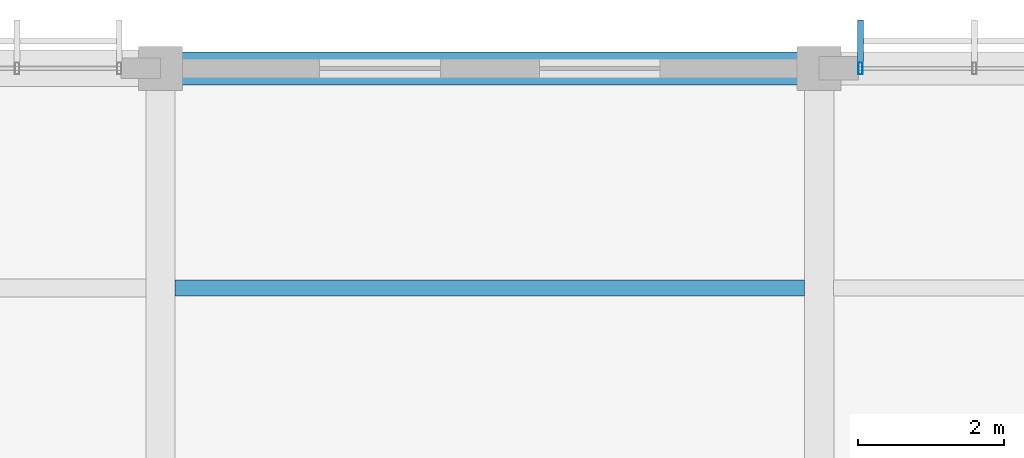
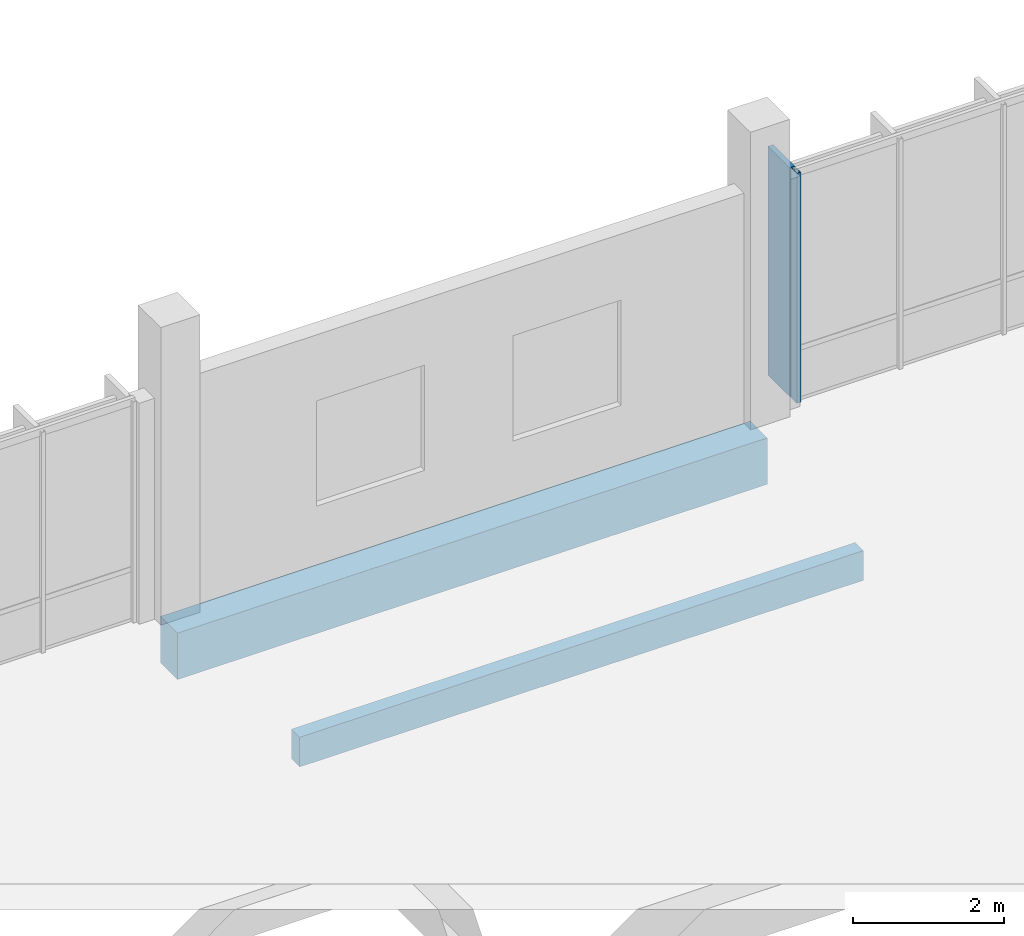
# One storey, part 122 of 177: 2 beams, 2 members, 1 element without a shape of its own.
"""IFC4 building model written with IfcOpenShell, lengths in metres."""

import ifcopenshell
import ifcopenshell.guid

model = None  # the IFC model being written
_history = None  # IfcOwnerHistory: only IFC2X3 demands one
_inside = {}  # id of a spatial element -> (the spatial element, [elements in it])
_under = {}  # id of a project, library or spatial element -> (it, [spatial elements below it])
_declared = {}  # id of a project -> (the project, [libraries it declares])
_typed = {}  # id of a type object -> (the type object, [elements of that type])
_made_of = {}  # id of a material, layer set ... -> (it, [elements and type objects made of it])


def new_model(schema):
    """Start an empty IFC model of exactly this schema.

    Asked for "IFC4X3", IfcOpenShell would pick the latest addendum, in which some entities
    have other attributes; the version numbers below select the first issue.
    IFC2X3 requires an IfcOwnerHistory on every rooted entity: one is made here for all.
    """
    global model, _history
    if schema == "IFC4X3":
        model = ifcopenshell.file(schema_version=(4, 3, 0, 0))
    else:
        model = ifcopenshell.file(schema=schema)
    _inside.clear()
    _under.clear()
    _declared.clear()
    _typed.clear()
    _made_of.clear()
    _history = None
    if model.schema == "IFC2X3":
        org = make("IfcOrganization", Name="unknown")
        user = make(
            "IfcPersonAndOrganization",
            ThePerson=make("IfcPerson", FamilyName="unknown"),
            TheOrganization=org,
        )
        app = make(
            "IfcApplication",
            ApplicationDeveloper=org,
            Version="unknown",
            ApplicationFullName="unknown",
            ApplicationIdentifier="unknown",
        )
        _history = make(
            "IfcOwnerHistory",
            OwningUser=user,
            OwningApplication=app,
            ChangeAction="ADDED",
            CreationDate=0,
        )
    return model


def make(cls, **values):
    """One entity of the class cls with the attributes given. An attribute that is None is left unset."""
    return model.create_entity(
        cls, **{name: value for name, value in values.items() if value is not None}
    )


def rooted(cls, **values):
    """An entity with a GlobalId (a new one), such as an element, a storey or a relation."""
    return make(cls, GlobalId=ifcopenshell.guid.new(), OwnerHistory=_history, **values)


def si_unit(unit_type, name, prefix=None):
    """IfcSIUnit, for example si_unit("LENGTHUNIT", "METRE", prefix="MILLI")."""
    return make("IfcSIUnit", UnitType=unit_type, Prefix=prefix, Name=name)


def assignment(units):
    """IfcUnitAssignment: the units of a project."""
    return None if units is None else make("IfcUnitAssignment", Units=units)


def point(xyz):
    """IfcCartesianPoint."""
    return None if xyz is None else make("IfcCartesianPoint", Coordinates=xyz)


def direction(xyz):
    """IfcDirection."""
    return None if xyz is None else make("IfcDirection", DirectionRatios=xyz)


def frame(location, z_axis=None, x_axis=None):
    """IfcAxis2Placement3D, a coordinate frame: its origin and axes. An axis left out is left unset."""
    return make(
        "IfcAxis2Placement3D",
        Location=point(location),
        Axis=direction(z_axis),
        RefDirection=direction(x_axis),
    )


def frame_2d(location, x_axis=None):
    """IfcAxis2Placement2D, a coordinate frame in the plane: its origin and x axis."""
    return make(
        "IfcAxis2Placement2D", Location=point(location), RefDirection=direction(x_axis)
    )


def origin():
    """The frame at (0, 0, 0) with its axes left unset."""
    return frame((0.0, 0.0, 0.0))


def origin_2d():
    """The frame at (0, 0) in the plane with its x axis left unset."""
    return frame_2d((0.0, 0.0))


def place(relative_to, where):
    """IfcLocalPlacement: puts the frame where relative to a parent placement (None: the world)."""
    return make(
        "IfcLocalPlacement", PlacementRelTo=relative_to, RelativePlacement=where
    )


def context(
    kind, dimensions, precision=None, world=None, true_north=None, identifier=None
):
    """IfcGeometricRepresentationContext, for example the 3D "Model" context."""
    return make(
        "IfcGeometricRepresentationContext",
        ContextIdentifier=identifier,
        ContextType=kind,
        CoordinateSpaceDimension=dimensions,
        Precision=precision,
        WorldCoordinateSystem=world,
        TrueNorth=true_north,
    )


def subcontext(parent, identifier, kind, view, scale=None):
    """IfcGeometricRepresentationSubContext, for example "Body" below "Model"."""
    return make(
        "IfcGeometricRepresentationSubContext",
        ContextIdentifier=identifier,
        ContextType=kind,
        ParentContext=parent,
        TargetScale=scale,
        TargetView=view,
    )


def project(units=None, contexts=None):
    """IfcProject with its units and contexts."""
    return rooted(
        "IfcProject",
        Name="project",
        RepresentationContexts=contexts,
        UnitsInContext=assignment(units),
    )


def spatial(cls, under=None, at=None, **own):
    """A site, building, storey or space (cls), placed at a placement, below another one or the project."""
    s = rooted(cls, ObjectPlacement=at, **own)
    if under is not None:
        _under.setdefault(under.id(), (under, []))[1].append(s)
    return s


def profile(cls, at=None, kind="AREA", **sizes):
    """A parametric profile (cls). Its sizes go by their IFC names, for example OverallWidth=200.0."""
    return make(cls, ProfileType=kind, Position=at, **sizes)


def rectangle(**sizes):
    """IfcRectangleProfileDef."""
    return profile("IfcRectangleProfileDef", **sizes)


def hollow_rectangle(**sizes):
    """IfcRectangleHollowProfileDef."""
    return profile("IfcRectangleHollowProfileDef", **sizes)


def extrude(swept, where, along, depth):
    """IfcExtrudedAreaSolid: the profile swept, set in the frame where, extruded along a direction by depth."""
    return make(
        "IfcExtrudedAreaSolid",
        SweptArea=swept,
        Position=where,
        ExtrudedDirection=direction(along),
        Depth=depth,
    )


def shape(context_of_items, identifier, shape_type, items):
    """IfcShapeRepresentation: the items that make up one representation, for example the "Body"."""
    return make(
        "IfcShapeRepresentation",
        ContextOfItems=context_of_items,
        RepresentationIdentifier=identifier,
        RepresentationType=shape_type,
        Items=items,
    )


def material(Name=None, Category=None):
    """IfcMaterial."""
    return make("IfcMaterial", Name=Name, Category=Category)


def material_profile(
    of_material, cross_section, Name=None, Category=None, Priority=None
):
    """IfcMaterialProfile: a cross section and its material."""
    return make(
        "IfcMaterialProfile",
        Name=Name,
        Material=of_material,
        Profile=cross_section,
        Priority=Priority,
        Category=Category,
    )


def profile_set(profiles, Name=None, composite=None):
    """IfcMaterialProfileSet."""
    return make(
        "IfcMaterialProfileSet",
        Name=Name,
        MaterialProfiles=profiles,
        CompositeProfile=composite,
    )


def made_of(thing, what):
    """Note that an element or type object is made of a material, layer set ...; save() writes the relation."""
    if what is not None:
        _made_of.setdefault(what.id(), (what, []))[1].append(thing)
    return thing


def type_object(cls, material=None, **own):
    """A type object (cls), such as IfcWallType, which elements share."""
    return made_of(rooted(cls, **own), material)


def element(
    cls,
    number,
    at=None,
    inside=None,
    cuts=None,
    type_object=None,
    material=None,
    context=None,
    identifier="Body",
    shape_type=None,
    held_by="IfcProductDefinitionShape",
    body=None,
    shapes=None,
    **own,
):
    """One element of the class cls, such as IfcWall. Its Tag is "e" and its number.

    at: its placement. inside: the storey or other place that contains it. cuts: it is an
    opening in that element (IfcRelVoidsElement). A single representation is given by context,
    identifier, shape_type and body (its items); several are given by shapes. held_by: the class
    of the entity that holds the representations. save() writes the other relations.
    """
    e = rooted(cls, Tag="e%d" % number, ObjectPlacement=at, **own)
    if body is not None:
        shapes = [shape(context, identifier, shape_type, body)]
    if shapes is not None:
        e.Representation = make(held_by, Representations=shapes)
    if inside is not None:
        _inside.setdefault(inside.id(), (inside, []))[1].append(e)
    if cuts is not None:
        rooted(
            "IfcRelVoidsElement", RelatingBuildingElement=cuts, RelatedOpeningElement=e
        )
    if type_object is not None:
        _typed.setdefault(type_object.id(), (type_object, []))[1].append(e)
    return made_of(e, material)


def aggregate(whole, parts):
    """IfcRelAggregates: a whole, such as a stair, and the parts it consists of."""
    return rooted("IfcRelAggregates", RelatingObject=whole, RelatedObjects=parts)


def save(model, path):
    """Write the relations noted so far, then the file.

    IfcRelAggregates (storeys below a building ...), IfcRelContainedInSpatialStructure (elements
    in a storey), IfcRelDefinesByType, IfcRelAssociatesMaterial and IfcRelDeclares: one each for
    every whole, place, type object, material and project.
    """
    for whole, parts in _under.values():
        aggregate(whole, parts)
    for where, things in _inside.values():
        rooted(
            "IfcRelContainedInSpatialStructure",
            RelatedElements=things,
            RelatingStructure=where,
        )
    for kind, things in _typed.values():
        rooted("IfcRelDefinesByType", RelatedObjects=things, RelatingType=kind)
    for what, things in _made_of.values():
        rooted("IfcRelAssociatesMaterial", RelatedObjects=things, RelatingMaterial=what)
    for by, libraries in _declared.values():
        rooted("IfcRelDeclares", RelatingContext=by, RelatedDefinitions=libraries)
    model.write(path)


model = new_model("IFC4")

# Units and contexts
model_context = context("Model", 3, precision=1e-05, world=origin(), true_north=direction((0.0, 1.0)))
body_context = subcontext(model_context, "Body", "Model", "MODEL_VIEW")
ifc_project = project(units=[si_unit("LENGTHUNIT", "METRE"), si_unit("AREAUNIT", "SQUARE_METRE"), si_unit("VOLUMEUNIT", "CUBIC_METRE"), si_unit("PLANEANGLEUNIT", "RADIAN"), si_unit("MASSUNIT", "GRAM", prefix="KILO")], contexts=[model_context])

# Site, building, storey
site_placement = place(None, origin())
site = spatial("IfcSite", under=ifc_project, at=site_placement, CompositionType="ELEMENT")
building_placement = place(site_placement, origin())
building = spatial("IfcBuilding", under=site, at=building_placement, Name="Chiffa Square Polytechnic", CompositionType="ELEMENT")
storey_placement = place(building_placement, frame((0.0, 0.0, 4.800048828125)))
storey = spatial("IfcBuildingStorey", under=building, at=storey_placement, Name="L01", CompositionType="ELEMENT", Elevation=4.800048828125)

# Beam
ifc_material_1 = material(Name="Concrete C35/45", Category="concrete")
ifc_material_profile_1 = material_profile(ifc_material_1, rectangle(XDim=0.449951171875, YDim=0.75, at=origin_2d()), Name="RC 450x750")
ifc_profile_set_1 = profile_set([ifc_material_profile_1], Name="Concrete C35/45")
beam_type_1 = type_object("IfcBeamType", Name="BM-RC-450X750", PredefinedType="BEAM", material=ifc_profile_set_1)
beam_1_placement = place(storey_placement, frame((57.60009765625, 130.800048828125, -0.655029296875), z_axis=(1.0, 0.0, 0.0), x_axis=(0.0, 1.0, 0.0)))
element("IfcBeam", 1, at=beam_1_placement, inside=storey, type_object=beam_type_1, Name="Primary floor girder BM-V5-L01-X-0576-1308", PredefinedType="BEAM", context=body_context, shape_type="SweptSolid", body=[
    extrude(rectangle(XDim=0.449951171875, YDim=0.75, at=origin_2d()), origin(), (0.0, 0.0, 1.0), 9.0),
])

# Curtain wall, members
ifc_material_2 = material(Name="Aluminium EN AW-6060 T66 and glulam shading", Category="wood")
curtain_wall_type = type_object("IfcCurtainWallType", Name="CW-VERT-540X440", PredefinedType="USERDEFINED", material=ifc_material_2)
curtain_wall_placement = place(storey_placement, origin())
curtain_wall = element("IfcCurtainWall", 2, at=curtain_wall_placement, inside=storey, type_object=curtain_wall_type, Name="Curtain wall CW-V5-L01-207", ObjectType="CURTAIN WALL", PredefinedType="USERDEFINED")
ifc_material_3 = material(Name="Aluminium EN AW-6060 T66", Category="aluminium")
ifc_material_profile_2 = material_profile(ifc_material_3, hollow_rectangle(XDim=0.06005859375, YDim=0.159912109375, WallThickness=0.00390625, at=origin_2d()), Name="ALU 60x160x4")
ifc_profile_set_2 = profile_set([ifc_material_profile_2], Name="Aluminium EN AW-6060 T66")
member_type_1 = type_object("IfcMemberType", Name="CWM-ALU-65X150", PredefinedType="MULLION", material=ifc_profile_set_2)
member_1_placement = place(storey_placement, frame((67.1650390625, 130.800048828125, 0.0), z_axis=(0.0, 0.0, 1.0), x_axis=(1.0, 0.0, 0.0)))
member_1 = element("IfcMember", 3, at=member_1_placement, type_object=member_type_1, Name="Curtain wall mullion CW-V5-L01-207-M05", PredefinedType="MULLION", context=body_context, shape_type="SweptSolid", body=[
    extrude(hollow_rectangle(XDim=0.06005859375, YDim=0.159912109375, WallThickness=0.00390625, at=origin_2d()), origin(), (0.0, 0.0, 1.0), 3.71484375),
])
ifc_material_4 = material(Name="Glulam GL28h", Category="wood")
ifc_material_profile_3 = material_profile(ifc_material_4, rectangle(XDim=0.080078125, YDim=0.580078125, at=origin_2d()), Name="GL28h 80x580")
ifc_profile_set_3 = profile_set([ifc_material_profile_3], Name="Glulam GL28h")
member_type_2 = type_object("IfcMemberType", Name="CWM-GL-80X580", PredefinedType="MULLION", material=ifc_profile_set_3)
member_2_placement = place(storey_placement, frame((67.1650390625, 131.172119140625, 0.010009765625), z_axis=(0.0, 0.0, 1.0), x_axis=(-1.0, 0.0, 0.0)))
member_2 = element("IfcMember", 4, at=member_2_placement, type_object=member_type_2, Name="Exterior glulam solar fin CW-V5-L01-207-FN05", PredefinedType="MULLION", context=body_context, shape_type="SweptSolid", body=[
    extrude(rectangle(XDim=0.080078125, YDim=0.580078125, at=origin_2d()), origin(), (0.0, 0.0, 1.0), 3.69482421875),
])
aggregate(curtain_wall, [member_1, member_2])

# Beam
ifc_material_profile_4 = material_profile(ifc_material_4, rectangle(XDim=0.219970703125, YDim=0.47998046875, at=origin_2d()), Name="GL28h 220x480")
ifc_profile_set_4 = profile_set([ifc_material_profile_4], Name="Glulam GL28h")
beam_type_2 = type_object("IfcBeamType", Name="JST-GL-220X480", PredefinedType="JOIST", material=ifc_profile_set_4)
beam_2_placement = place(storey_placement, frame((57.798095703125, 127.800048828125, -0.52001953125), z_axis=(1.0, 0.0, 0.0), x_axis=(0.0, 1.0, 0.0)))
element("IfcBeam", 5, at=beam_2_placement, inside=storey, type_object=beam_type_2, Name="Secondary floor joist JST-V5-L01-0576-1278", PredefinedType="JOIST", context=body_context, shape_type="SweptSolid", body=[
    extrude(rectangle(XDim=0.219970703125, YDim=0.47998046875, at=origin_2d()), origin(), (0.0, 0.0, 1.0), 8.60400390625),
])

save(model, "model.ifc")
